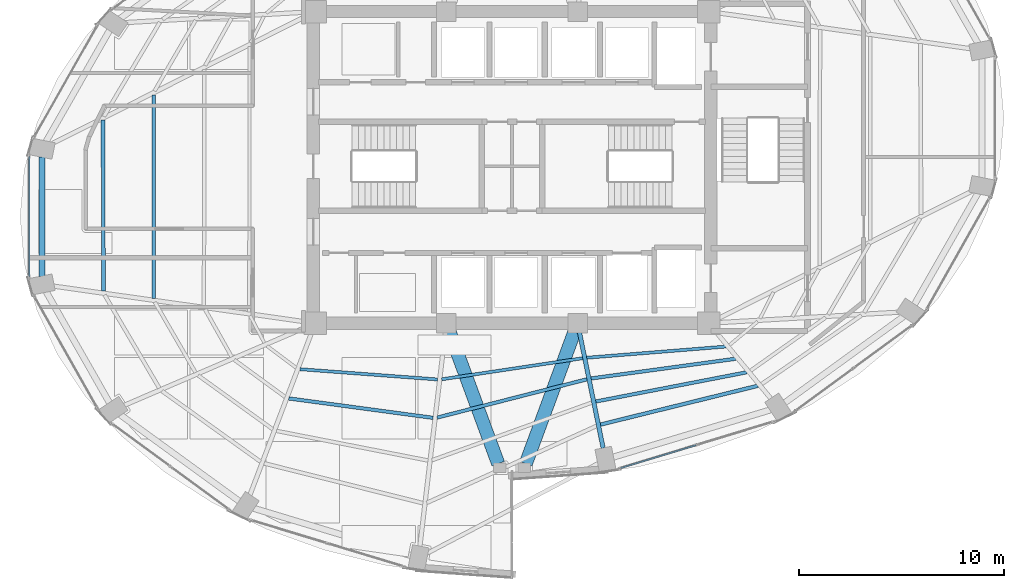
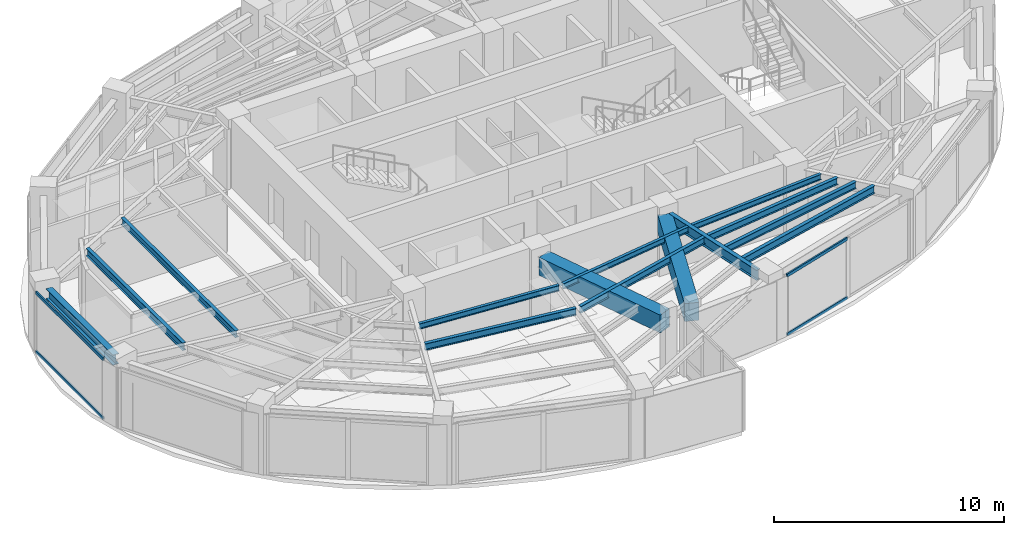
# One storey, part 5 of 20: 14 beams, 4 members, 2 elements without a shape of their own.
"""IFC4 building model written with IfcOpenShell, lengths in metres."""

from ifc_helpers import new_model, si_unit, direction, frame, origin, origin_2d, place, context, subcontext, project, spatial, rectangle, hollow_rectangle, i_section, extrude, material, layer, layer_set, material_profile, profile_set, type_object, element, aggregate, save


model = new_model("IFC4")

# Units and contexts
model_context = context("Model", 3, precision=1e-05, world=origin(), true_north=direction((0.0, 1.0)))
body_context = subcontext(model_context, "Body", "Model", "MODEL_VIEW")
ifc_project = project(units=[si_unit("LENGTHUNIT", "METRE"), si_unit("AREAUNIT", "SQUARE_METRE"), si_unit("VOLUMEUNIT", "CUBIC_METRE"), si_unit("PLANEANGLEUNIT", "RADIAN"), si_unit("MASSUNIT", "GRAM", prefix="KILO")], contexts=[model_context])

# Site, building, storey
site_placement = place(None, origin())
site = spatial("IfcSite", under=ifc_project, at=site_placement, CompositionType="ELEMENT")
building_placement = place(site_placement, origin())
building = spatial("IfcBuilding", under=site, at=building_placement, Name="Lazwardi Medical Tower", CompositionType="ELEMENT")
storey_placement = place(building_placement, frame((0.0, 0.0, 185.7119140625)))
storey = spatial("IfcBuildingStorey", under=building, at=storey_placement, Name="L48", CompositionType="ELEMENT", Elevation=185.7119140625)

# Beams
ifc_material_1 = material(Name="Concrete C60/75", Category="concrete")
ifc_material_profile_1 = material_profile(ifc_material_1, rectangle(XDim=0.64990234375, YDim=0.949951171875, at=origin_2d()), Name="RC 650x950")
ifc_profile_set_1 = profile_set([ifc_material_profile_1], Name="Concrete C60/75")
beam_type_1 = type_object("IfcBeamType", Name="BM-CB-RC2", PredefinedType="LINTEL", material=ifc_profile_set_1)
for number, where, z_axis, x_axis, name in (
    (1, (32.959228515625, 19.968505859375, 2.72314453125), (0.34601281054, -0.938229787921, 0.0), (0.938229787921, 0.34601281054, 0.0), "Core coupling lintel CB-02 PL3 L48"),
    (2, (39.040771484375, 19.968505859375, 2.72314453125), (-0.34601281054, -0.938229787921, 0.0), (0.938229787921, -0.34601281054, 0.0), "Core coupling lintel CB-02 PL4 L48"),
):
    element("IfcBeam", number, at=place(storey_placement, frame(where, z_axis=z_axis, x_axis=x_axis)), inside=storey, type_object=beam_type_1, Name=name, PredefinedType="LINTEL", context=body_context, shape_type="SweptSolid", body=[
        extrude(rectangle(XDim=0.64990234375, YDim=0.949951171875, at=origin_2d()), origin(), (0.0, 0.0, 1.0), 6.84423828125),
    ])
ifc_material_2 = material(Name="Steel S355", Category="steel")
ifc_material_profile_2 = material_profile(ifc_material_2, i_section(OverallWidth=0.300048828125, OverallDepth=0.550048828125, WebThickness=0.014892578125, FlangeThickness=0.029052734375, at=origin_2d()), Name="HEB 550")
ifc_profile_set_2 = profile_set([ifc_material_profile_2], Name="Steel S355")
beam_type_2 = type_object("IfcBeamType", Name="BM-RB-Z3", PredefinedType="BEAM", material=ifc_profile_set_2)
beam_1_placement = place(storey_placement, frame((13.07421875, 28.51171875, 2.923095703125), z_axis=(0.0, -1.0, 0.0), x_axis=(1.0, 0.0, 0.0)))
element("IfcBeam", 3, at=beam_1_placement, inside=storey, type_object=beam_type_2, Name="Ring beam RB-04 B12 L48", PredefinedType="BEAM", context=body_context, shape_type="SweptSolid", body=[
    extrude(i_section(OverallWidth=0.300048828125, OverallDepth=0.550048828125, WebThickness=0.014892578125, FlangeThickness=0.029052734375, at=origin_2d()), origin(), (0.0, 0.0, 1.0), 5.823486328125),
])
ifc_material_profile_3 = material_profile(ifc_material_2, i_section(OverallWidth=0.2099609375, OverallDepth=0.550048828125, WebThickness=0.010986328125, FlangeThickness=0.01708984375, at=origin_2d()), Name="IPE 550")
ifc_profile_set_3 = profile_set([ifc_material_profile_3], Name="Steel S355")
beam_type_3 = type_object("IfcBeamType", Name="BM-RG-W2", PredefinedType="BEAM", material=ifc_profile_set_3)
beam_2_placement = place(storey_placement, frame((40.447998046875, 14.2998046875, 2.923095703125), z_axis=(-0.200429485343, 0.979708130723, 0.0), x_axis=(-0.979708130723, -0.200429485343, 0.0)))
element("IfcBeam", 4, at=beam_2_placement, inside=storey, type_object=beam_type_3, Name="Radial girder RG-03 R01 L48", PredefinedType="BEAM", context=body_context, shape_type="SweptSolid", body=[
    extrude(i_section(OverallWidth=0.2099609375, OverallDepth=0.550048828125, WebThickness=0.010986328125, FlangeThickness=0.01708984375, at=origin_2d()), origin(), (0.0, 0.0, 1.0), 5.766357421875),
])
ifc_material_profile_4 = material_profile(ifc_material_2, i_section(OverallWidth=0.179931640625, OverallDepth=0.39990234375, WebThickness=0.008544921875, FlangeThickness=0.013427734375, at=origin_2d()), Name="IPE 400")
ifc_profile_set_4 = profile_set([ifc_material_profile_4], Name="Steel S355")
beam_type_4 = type_object("IfcBeamType", Name="BM-SJ-01", PredefinedType="JOIST", material=ifc_profile_set_4)
beam_3_placement = place(storey_placement, frame((40.31396484375, 15.45361328125, 2.998046875), z_axis=(0.970912648168, 0.239433977597, 0.0), x_axis=(-0.239433977597, 0.970912648168, 0.0)))
element("IfcBeam", 5, at=beam_3_placement, inside=storey, type_object=beam_type_4, Name="Secondary joist SJ-01 R1 B01 L48", PredefinedType="JOIST", context=body_context, shape_type="SweptSolid", body=[
    extrude(i_section(OverallWidth=0.179931640625, OverallDepth=0.39990234375, WebThickness=0.008544921875, FlangeThickness=0.013427734375, at=origin_2d()), origin(), (0.0, 0.0, 1.0), 7.91162109375),
])
beam_4_placement = place(storey_placement, frame((16.04443359375, 30.30224609375, 2.998046875), z_axis=(0.003864366017, -0.99999253331, 0.0), x_axis=(0.99999253331, 0.003864366017, 0.0)))
element("IfcBeam", 6, at=beam_4_placement, inside=storey, type_object=beam_type_4, Name="Secondary joist SJ-01 R1 B12 L48", PredefinedType="JOIST", context=body_context, shape_type="SweptSolid", body=[
    extrude(i_section(OverallWidth=0.179931640625, OverallDepth=0.39990234375, WebThickness=0.008544921875, FlangeThickness=0.013427734375, at=origin_2d()), origin(), (0.0, 0.0, 1.0), 8.33935546875),
])
ifc_material_profile_5 = material_profile(ifc_material_2, i_section(OverallWidth=0.169921875, OverallDepth=0.360107421875, WebThickness=0.008056640625, FlangeThickness=0.0126953125, at=origin_2d()), Name="IPE 360")
ifc_profile_set_5 = profile_set([ifc_material_profile_5], Name="Steel S355")
beam_type_5 = type_object("IfcBeamType", Name="BM-SJ-02", PredefinedType="JOIST", material=ifc_profile_set_5)
beam_5_placement = place(storey_placement, frame((40.083984375, 16.57861328125, 3.01806640625), z_axis=(0.981753035865, 0.190160396953, 0.0), x_axis=(-0.190160396953, 0.981753035865, 0.0)))
element("IfcBeam", 7, at=beam_5_placement, inside=storey, type_object=beam_type_5, Name="Secondary joist SJ-02 R2 B01 L48", PredefinedType="JOIST", context=body_context, shape_type="SweptSolid", body=[
    extrude(i_section(OverallWidth=0.169921875, OverallDepth=0.360107421875, WebThickness=0.008056640625, FlangeThickness=0.0126953125, at=origin_2d()), origin(), (0.0, 0.0, 1.0), 7.50927734375),
])
beam_6_placement = place(storey_placement, frame((18.513671875, 31.541748046875, 3.01806640625), z_axis=(0.001156040156, -0.999999331785, 0.0), x_axis=(0.999999331785, 0.001156040156, 0.0)))
element("IfcBeam", 8, at=beam_6_placement, inside=storey, type_object=beam_type_5, Name="Secondary joist SJ-02 R2 B12 L48", PredefinedType="JOIST", context=body_context, shape_type="SweptSolid", body=[
    extrude(i_section(OverallWidth=0.169921875, OverallDepth=0.360107421875, WebThickness=0.008056640625, FlangeThickness=0.0126953125, at=origin_2d()), origin(), (0.0, 0.0, 1.0), 9.92578125),
])
beam_7_placement = place(storey_placement, frame((39.853515625, 17.702880859375, 3.01806640625), z_axis=(0.990832043476, 0.135099450852, 0.0), x_axis=(-0.135099450852, 0.990832043476, 0.0)))
element("IfcBeam", 9, at=beam_7_placement, inside=storey, type_object=beam_type_5, Name="Secondary joist SJ-02 R3 B01 L48", PredefinedType="JOIST", context=body_context, shape_type="SweptSolid", body=[
    extrude(i_section(OverallWidth=0.169921875, OverallDepth=0.360107421875, WebThickness=0.008056640625, FlangeThickness=0.0126953125, at=origin_2d()), origin(), (0.0, 0.0, 1.0), 7.129150390625),
])
beam_8_placement = place(storey_placement, frame((25.110107421875, 16.730224609375, 3.01806640625), z_axis=(0.991056291961, -0.133444468468, 0.0), x_axis=(0.133444468468, 0.991056291961, 0.0)))
element("IfcBeam", 10, at=beam_8_placement, inside=storey, type_object=beam_type_5, Name="Secondary joist SJ-02 R3 B15 L48", PredefinedType="JOIST", context=body_context, shape_type="SweptSolid", body=[
    extrude(i_section(OverallWidth=0.169921875, OverallDepth=0.360107421875, WebThickness=0.008056640625, FlangeThickness=0.0126953125, at=origin_2d()), origin(), (0.0, 0.0, 1.0), 7.10400390625),
])
beam_9_placement = place(storey_placement, frame((32.3466796875, 15.793701171875, 3.01806640625), z_axis=(0.96877632572, 0.247936344097, 0.0), x_axis=(-0.247936344097, 0.96877632572, 0.0)))
element("IfcBeam", 11, at=beam_9_placement, inside=storey, type_object=beam_type_5, Name="Secondary joist SJ-02 R3 B16 L48", PredefinedType="JOIST", context=body_context, shape_type="SweptSolid", body=[
    extrude(i_section(OverallWidth=0.169921875, OverallDepth=0.360107421875, WebThickness=0.008056640625, FlangeThickness=0.0126953125, at=origin_2d()), origin(), (0.0, 0.0, 1.0), 7.546630859375),
])
ifc_material_profile_6 = material_profile(ifc_material_2, i_section(OverallWidth=0.14990234375, OverallDepth=0.300048828125, WebThickness=0.007080078125, FlangeThickness=0.0107421875, at=origin_2d()), Name="IPE 300")
ifc_profile_set_6 = profile_set([ifc_material_profile_6], Name="Steel S355")
beam_type_6 = type_object("IfcBeamType", Name="BM-SJ-03", PredefinedType="JOIST", material=ifc_profile_set_6)
beam_10_placement = place(storey_placement, frame((39.646240234375, 18.71435546875, 3.048095703125), z_axis=(0.996785792338, 0.08011294647, 0.0), x_axis=(-0.08011294647, 0.996785792338, 0.0)))
element("IfcBeam", 12, at=beam_10_placement, inside=storey, type_object=beam_type_6, Name="Secondary joist SJ-03 R4 B01 L48", PredefinedType="JOIST", context=body_context, shape_type="SweptSolid", body=[
    extrude(i_section(OverallWidth=0.14990234375, OverallDepth=0.300048828125, WebThickness=0.007080078125, FlangeThickness=0.0107421875, at=origin_2d()), origin(), (0.0, 0.0, 1.0), 6.80810546875),
])
beam_11_placement = place(storey_placement, frame((25.650390625, 18.156494140625, 3.048095703125), z_axis=(0.99722699261, -0.074419924822, 0.0), x_axis=(0.074419924822, 0.99722699261, 0.0)))
element("IfcBeam", 13, at=beam_11_placement, inside=storey, type_object=beam_type_6, Name="Secondary joist SJ-03 R4 B15 L48", PredefinedType="JOIST", context=body_context, shape_type="SweptSolid", body=[
    extrude(i_section(OverallWidth=0.14990234375, OverallDepth=0.300048828125, WebThickness=0.007080078125, FlangeThickness=0.0107421875, at=origin_2d()), origin(), (0.0, 0.0, 1.0), 6.74169921875),
])
beam_12_placement = place(storey_placement, frame((32.57177734375, 17.662109375, 3.048095703125), z_axis=(0.98897469849, 0.148084589835, 0.0), x_axis=(-0.148084589835, 0.98897469849, 0.0)))
element("IfcBeam", 14, at=beam_12_placement, inside=storey, type_object=beam_type_6, Name="Secondary joist SJ-03 R4 B16 L48", PredefinedType="JOIST", context=body_context, shape_type="SweptSolid", body=[
    extrude(i_section(OverallWidth=0.14990234375, OverallDepth=0.300048828125, WebThickness=0.007080078125, FlangeThickness=0.0107421875, at=origin_2d()), origin(), (0.0, 0.0, 1.0), 6.952392578125),
])

# Curtain wall, members
ifc_material_3 = material(Name="Anodised bronze aluminium and solar control glazing", Category="aluminium")
ifc_layer = layer(ifc_material_3, 0.195068359375)
ifc_layer_set = layer_set([ifc_layer], Name="Anodised bronze aluminium and solar control glazing")
curtain_wall_type = type_object("IfcCurtainWallType", Name="CW-SYS-03", PredefinedType="NOTDEFINED", material=ifc_layer_set)
curtain_wall_1_placement = place(storey_placement, origin())
curtain_wall_1 = element("IfcCurtainWall", 15, at=curtain_wall_1_placement, inside=storey, type_object=curtain_wall_type, Name="L48 Unitised bronze curtain wall CW-03", PredefinedType="NOTDEFINED")
ifc_material_4 = material(Name="Anodised bronze aluminium", Category="aluminium")
ifc_material_profile_7 = material_profile(ifc_material_4, hollow_rectangle(XDim=0.074951171875, YDim=0.159912109375, WallThickness=0.00390625, at=origin_2d()), Name="ALU-TRANSOM 160x75x4")
ifc_profile_set_7 = profile_set([ifc_material_profile_7], Name="Anodised bronze aluminium")
member_type = type_object("IfcMemberType", Name="CW-TRN-01", PredefinedType="USERDEFINED", material=ifc_profile_set_7)
member_1_placement = place(storey_placement, frame((41.307861328125, 13.336669921875, 0.03759765625), z_axis=(0.956935517424, 0.290300560612, 0.0), x_axis=(-0.290300560612, 0.956935517424, 0.0)))
member_1 = element("IfcMember", 16, at=member_1_placement, type_object=member_type, Name="CW-03 transom 1.1", ObjectType="TRANSOM", PredefinedType="USERDEFINED", context=body_context, shape_type="SweptSolid", body=[
    extrude(hollow_rectangle(XDim=0.074951171875, YDim=0.159912109375, WallThickness=0.00390625, at=origin_2d()), origin(), (0.0, 0.0, 1.0), 3.836669921875),
])
member_2_placement = place(storey_placement, frame((41.307861328125, 13.336669921875, 3.16064453125), z_axis=(0.956935517424, 0.290300560612, 0.0), x_axis=(-0.290300560612, 0.956935517424, 0.0)))
member_2 = element("IfcMember", 17, at=member_2_placement, type_object=member_type, Name="CW-03 transom 1.2", ObjectType="TRANSOM", PredefinedType="USERDEFINED", context=body_context, shape_type="SweptSolid", body=[
    extrude(hollow_rectangle(XDim=0.074951171875, YDim=0.159912109375, WallThickness=0.00390625, at=origin_2d()), origin(), (0.0, 0.0, 1.0), 3.836669921875),
])
aggregate(curtain_wall_1, [member_1, member_2])

curtain_wall_2_placement = place(storey_placement, origin())
curtain_wall_2 = element("IfcCurtainWall", 18, at=curtain_wall_2_placement, inside=storey, type_object=curtain_wall_type, Name="L48 Unitised bronze curtain wall CW-03", PredefinedType="NOTDEFINED")
member_3_placement = place(storey_placement, frame((12.4423828125, 28.5205078125, 0.03759765625), z_axis=(0.0, -1.0, 0.0), x_axis=(1.0, 0.0, 0.0)))
member_3 = element("IfcMember", 19, at=member_3_placement, type_object=member_type, Name="CW-03 transom 1.1", ObjectType="TRANSOM", PredefinedType="USERDEFINED", context=body_context, shape_type="SweptSolid", body=[
    extrude(hollow_rectangle(XDim=0.074951171875, YDim=0.159912109375, WallThickness=0.00390625, at=origin_2d()), origin(), (0.0, 0.0, 1.0), 5.8408203125),
])
member_4_placement = place(storey_placement, frame((12.4423828125, 28.5205078125, 3.16064453125), z_axis=(0.0, -1.0, 0.0), x_axis=(1.0, 0.0, 0.0)))
member_4 = element("IfcMember", 20, at=member_4_placement, type_object=member_type, Name="CW-03 transom 1.2", ObjectType="TRANSOM", PredefinedType="USERDEFINED", context=body_context, shape_type="SweptSolid", body=[
    extrude(hollow_rectangle(XDim=0.074951171875, YDim=0.159912109375, WallThickness=0.00390625, at=origin_2d()), origin(), (0.0, 0.0, 1.0), 5.8408203125),
])
aggregate(curtain_wall_2, [member_3, member_4])

save(model, "model.ifc")
